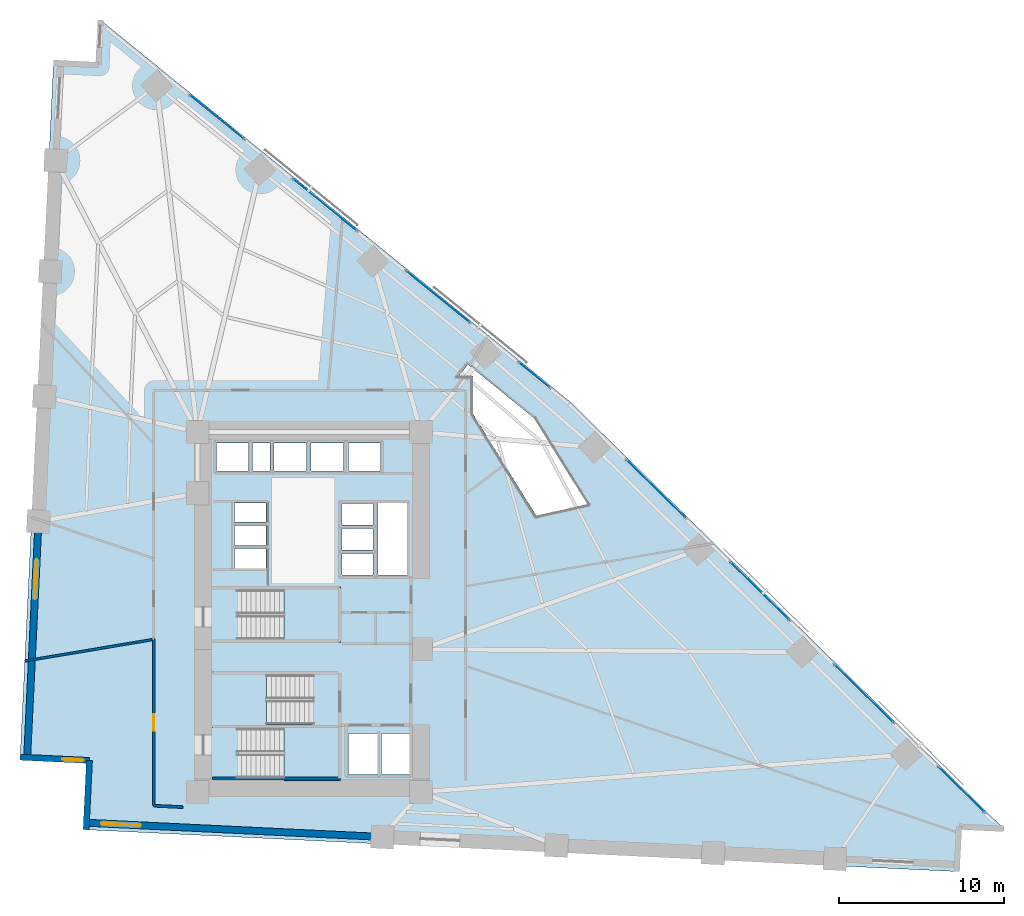
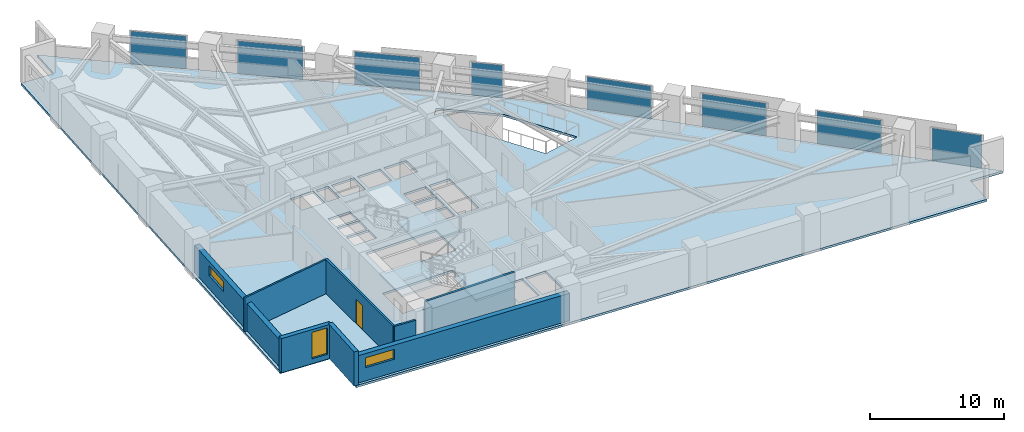
# One storey, part 12 of 17: 8 plates, 8 walls, 4 slabs, 3 windows, 1 door, 4 openings, 11 elements without a shape of their own.
"""IFC4 building model written with IfcOpenShell, lengths in metres."""

from ifc_helpers import new_model, si_unit, direction, frame, frame_2d, origin, origin_2d, place, context, subcontext, project, spatial, polyline, rectangle, outline, extrude, material, layer, layer_set, type_object, element, fill, aggregate, save


model = new_model("IFC4")

# Units and contexts
model_context = context("Model", 3, precision=1e-05, world=origin(), true_north=direction((0.0, 1.0)))
body_context = subcontext(model_context, "Body", "Model", "MODEL_VIEW")
ifc_project = project(units=[si_unit("LENGTHUNIT", "METRE"), si_unit("AREAUNIT", "SQUARE_METRE"), si_unit("VOLUMEUNIT", "CUBIC_METRE"), si_unit("PLANEANGLEUNIT", "RADIAN"), si_unit("MASSUNIT", "GRAM", prefix="KILO")], contexts=[model_context])

# Site, building, storey
site_placement = place(None, origin())
site = spatial("IfcSite", under=ifc_project, at=site_placement, CompositionType="ELEMENT")
building_placement = place(site_placement, origin())
building = spatial("IfcBuilding", under=site, at=building_placement, Name="Narakoshi Arena Tower", CompositionType="ELEMENT")
storey_placement = place(building_placement, frame((0.0, 0.0, 55.5)))
storey = spatial("IfcBuildingStorey", under=building, at=storey_placement, Name="L14", CompositionType="ELEMENT", Elevation=55.5)

# Curtain wall, plate
ifc_material_1 = material(Name="Anodised bronze aluminium 6063-T6", Category="aluminium")
curtain_wall_type = type_object("IfcCurtainWallType", Name="CW-HYP-LOW", PredefinedType="NOTDEFINED", material=ifc_material_1)
curtain_wall_1_placement = place(storey_placement, origin())
curtain_wall_1 = element("IfcCurtainWall", 1, at=curtain_wall_1_placement, inside=storey, type_object=curtain_wall_type, Name="L14 Folded Hypotenuse Curtain Wall 1-1", PredefinedType="NOTDEFINED")
ifc_material_2 = material(Name="Bronze-tinted low-E laminated glass", Category="glass")
ifc_layer_1 = layer(ifc_material_2, 0.031982421875)
ifc_layer_set_1 = layer_set([ifc_layer_1], Name="Bronze-tinted low-E laminated glass")
plate_type = type_object("IfcPlateType", Name="PLT-GLZ-32", PredefinedType="CURTAIN_PANEL", material=ifc_layer_set_1)
plate_1_placement = place(storey_placement, frame((118.277587890625, 34.8505859375, 0.06494140625), z_axis=(0.0, 0.0, 1.0), x_axis=(-0.712541277695, 0.701630192894, 0.0)))
plate_1 = element("IfcPlate", 2, at=plate_1_placement, type_object=plate_type, Name="CW-01 panel 1.1", PredefinedType="CURTAIN_PANEL", context=body_context, shape_type="SweptSolid", body=[
    extrude(rectangle(XDim=3.85498046875, YDim=0.031982421875, at=origin_2d()), origin(), (0.0, 0.0, 1.0), 2.969970703125),
])
aggregate(curtain_wall_1, [plate_1])

curtain_wall_2_placement = place(storey_placement, origin())
curtain_wall_2 = element("IfcCurtainWall", 3, at=curtain_wall_2_placement, inside=storey, type_object=curtain_wall_type, Name="L14 Folded Hypotenuse Curtain Wall 1-2", PredefinedType="NOTDEFINED")
plate_2_placement = place(storey_placement, frame((112.375, 40.66259765625, 0.06494140625), z_axis=(0.0, 0.0, 1.0), x_axis=(-0.712548329451, 0.701623031404, 0.0)))
plate_2 = element("IfcPlate", 4, at=plate_2_placement, type_object=plate_type, Name="CW-01 panel 1.1", PredefinedType="CURTAIN_PANEL", context=body_context, shape_type="SweptSolid", body=[
    extrude(rectangle(XDim=4.966552734375, YDim=0.031982421875, at=origin_2d()), origin(), (0.0, 0.0, 1.0), 2.969970703125),
])
aggregate(curtain_wall_2, [plate_2])

curtain_wall_3_placement = place(storey_placement, origin())
curtain_wall_3 = element("IfcCurtainWall", 5, at=curtain_wall_3_placement, inside=storey, type_object=curtain_wall_type, Name="L14 Folded Hypotenuse Curtain Wall 1-3", PredefinedType="NOTDEFINED")
plate_3_placement = place(storey_placement, frame((106.07666015625, 46.864501953125, 0.06494140625), z_axis=(0.0, 0.0, 1.0), x_axis=(-0.712538708053, 0.701632802488, 0.0)))
plate_3 = element("IfcPlate", 6, at=plate_3_placement, type_object=plate_type, Name="CW-01 panel 1.1", PredefinedType="CURTAIN_PANEL", context=body_context, shape_type="SweptSolid", body=[
    extrude(rectangle(XDim=4.966552734375, YDim=0.031982421875, at=origin_2d()), origin(), (0.0, 0.0, 1.0), 2.969970703125),
])
aggregate(curtain_wall_3, [plate_3])

curtain_wall_4_placement = place(storey_placement, origin())
curtain_wall_4 = element("IfcCurtainWall", 7, at=curtain_wall_4_placement, inside=storey, type_object=curtain_wall_type, Name="L14 Folded Hypotenuse Curtain Wall 1-4", PredefinedType="NOTDEFINED")
plate_4_placement = place(storey_placement, frame((99.7783203125, 53.06640625, 0.06494140625), z_axis=(0.0, 0.0, 1.0), x_axis=(-0.712538708053, 0.701632802488, 0.0)))
plate_4 = element("IfcPlate", 8, at=plate_4_placement, type_object=plate_type, Name="CW-01 panel 1.1", PredefinedType="CURTAIN_PANEL", context=body_context, shape_type="SweptSolid", body=[
    extrude(rectangle(XDim=4.966552734375, YDim=0.031982421875, at=origin_2d()), origin(), (0.0, 0.0, 1.0), 2.969970703125),
])
aggregate(curtain_wall_4, [plate_4])

curtain_wall_5_placement = place(storey_placement, origin())
curtain_wall_5 = element("IfcCurtainWall", 9, at=curtain_wall_5_placement, inside=storey, type_object=curtain_wall_type, Name="L14 Folded Hypotenuse Curtain Wall 2-1", PredefinedType="NOTDEFINED")
plate_5_placement = place(storey_placement, frame((92.40087890625, 59.964111328125, 0.06494140625), z_axis=(0.0, 0.0, 1.0), x_axis=(-0.776007918256, 0.63072316495, 0.0)))
plate_5 = element("IfcPlate", 10, at=plate_5_placement, type_object=plate_type, Name="CW-01 panel 1.1", PredefinedType="CURTAIN_PANEL", context=body_context, shape_type="SweptSolid", body=[
    extrude(rectangle(XDim=2.35888671875, YDim=0.031982421875, at=origin_2d()), origin(), (0.0, 0.0, 1.0), 2.969970703125),
])
aggregate(curtain_wall_5, [plate_5])

curtain_wall_6_placement = place(storey_placement, origin())
curtain_wall_6 = element("IfcCurtainWall", 11, at=curtain_wall_6_placement, inside=storey, type_object=curtain_wall_type, Name="L14 Folded Hypotenuse Curtain Wall 2-2", PredefinedType="NOTDEFINED")
plate_6_placement = place(storey_placement, frame((86.566650390625, 64.7060546875, 0.06494140625), z_axis=(0.0, 0.0, 1.0), x_axis=(-0.775998434519, 0.630734833051, 0.0)))
plate_6 = element("IfcPlate", 12, at=plate_6_placement, type_object=plate_type, Name="CW-01 panel 1.1", PredefinedType="CURTAIN_PANEL", context=body_context, shape_type="SweptSolid", body=[
    extrude(rectangle(XDim=4.932373046875, YDim=0.031982421875, at=origin_2d()), origin(), (0.0, 0.0, 1.0), 2.969970703125),
])
aggregate(curtain_wall_6, [plate_6])

curtain_wall_7_placement = place(storey_placement, origin())
curtain_wall_7 = element("IfcCurtainWall", 13, at=curtain_wall_7_placement, inside=storey, type_object=curtain_wall_type, Name="L14 Folded Hypotenuse Curtain Wall 2-3", PredefinedType="NOTDEFINED")
plate_7_placement = place(storey_placement, frame((79.73388671875, 70.259765625, 0.06494140625), z_axis=(0.0, 0.0, 1.0), x_axis=(-0.776008064665, 0.630722984816, 0.0)))
plate_7 = element("IfcPlate", 14, at=plate_7_placement, type_object=plate_type, Name="CW-01 panel 1.1", PredefinedType="CURTAIN_PANEL", context=body_context, shape_type="SweptSolid", body=[
    extrude(rectangle(XDim=4.932373046875, YDim=0.031982421875, at=origin_2d()), origin(), (0.0, 0.0, 1.0), 2.969970703125),
])
aggregate(curtain_wall_7, [plate_7])

curtain_wall_8_placement = place(storey_placement, origin())
curtain_wall_8 = element("IfcCurtainWall", 15, at=curtain_wall_8_placement, inside=storey, type_object=curtain_wall_type, Name="L14 Folded Hypotenuse Curtain Wall 2-4", PredefinedType="NOTDEFINED")
plate_8_placement = place(storey_placement, frame((73.18603515625, 75.58203125, 0.06494140625), z_axis=(0.0, 0.0, 1.0), x_axis=(-0.775999332044, 0.630733728817, 0.0)))
plate_8 = element("IfcPlate", 16, at=plate_8_placement, type_object=plate_type, Name="CW-01 panel 1.1", PredefinedType="CURTAIN_PANEL", context=body_context, shape_type="SweptSolid", body=[
    extrude(rectangle(XDim=4.198486328125, YDim=0.031982421875, at=origin_2d()), origin(), (0.0, 0.0, 1.0), 2.969970703125),
])
aggregate(curtain_wall_8, [plate_8])

# Stair, slab
ifc_material_3 = material(Name="Concrete C45/55", Category="concrete")
stair_type = type_object("IfcStairType", Name="STR-CORE-360", PredefinedType="TWO_STRAIGHT_RUN_STAIR", material=ifc_material_3)
stair_1_placement = place(storey_placement, origin())
stair_1 = element("IfcStair", 17, at=stair_1_placement, inside=storey, type_object=stair_type, Name="L14 Core Escape Stair ST1", PredefinedType="TWO_STRAIGHT_RUN_STAIR")
ifc_layer_2 = layer(ifc_material_3, 0.18994140625)
ifc_layer_set_2 = layer_set([ifc_layer_2], Name="Concrete C45/55")
slab_type_1 = type_object("IfcSlabType", Name="SLB-LND-190", PredefinedType="LANDING", material=ifc_layer_set_2)
slab_1_placement = place(storey_placement, frame((0.0, 0.0, 1.610107421875)))
slab_1 = element("IfcSlab", 18, at=slab_1_placement, type_object=slab_type_1, Name="ST1 landing 1", PredefinedType="LANDING", context=body_context, shape_type="SweptSolid", body=[
    extrude(outline(polyline([(77.25, 35.3701171875), (80.679931640625, 35.3701171875), (80.679931640625, 38.72998046875), (77.25, 38.72998046875), (77.25, 35.3701171875)])), origin(), (0.0, 0.0, 1.0), 0.18994140625),
])
aggregate(stair_1, [slab_1])

stair_2_placement = place(storey_placement, origin())
stair_2 = element("IfcStair", 19, at=stair_2_placement, inside=storey, type_object=stair_type, Name="L14 Core Escape Stair ST2", PredefinedType="TWO_STRAIGHT_RUN_STAIR")
slab_2_placement = place(storey_placement, frame((0.0, 0.0, 1.610107421875)))
slab_2 = element("IfcSlab", 20, at=slab_2_placement, type_object=slab_type_1, Name="ST2 landing 1", PredefinedType="LANDING", context=body_context, shape_type="SweptSolid", body=[
    extrude(outline(polyline([(72.77001953125, 38.6201171875), (76.199951171875, 38.6201171875), (76.199951171875, 41.97998046875), (72.77001953125, 41.97998046875), (72.77001953125, 38.6201171875)])), origin(), (0.0, 0.0, 1.0), 0.18994140625),
])
aggregate(stair_2, [slab_2])

stair_3_placement = place(storey_placement, origin())
stair_3 = element("IfcStair", 21, at=stair_3_placement, inside=storey, type_object=stair_type, Name="L14 Core Escape Stair ST3", PredefinedType="TWO_STRAIGHT_RUN_STAIR")
slab_3_placement = place(storey_placement, frame((0.0, 0.0, 1.610107421875)))
slab_3 = element("IfcSlab", 22, at=slab_3_placement, type_object=slab_type_1, Name="ST3 landing 1", PredefinedType="LANDING", context=body_context, shape_type="SweptSolid", body=[
    extrude(outline(polyline([(77.25, 43.77001953125), (80.679931640625, 43.77001953125), (80.679931640625, 47.1298828125), (77.25, 47.1298828125), (77.25, 43.77001953125)])), origin(), (0.0, 0.0, 1.0), 0.18994140625),
])
aggregate(stair_3, [slab_3])

# Slab
ifc_layer_3 = layer(ifc_material_3, 0.199951171875)
ifc_layer_set_3 = layer_set([ifc_layer_3], Name="Concrete C45/55")
slab_type_2 = type_object("IfcSlabType", Name="SLB-TWR-200", PredefinedType="FLOOR", material=ifc_layer_set_3)
slab_4_placement = place(storey_placement, frame((0.0, 0.0, -0.199951171875)))
element("IfcSlab", 23, at=slab_4_placement, inside=storey, type_object=slab_type_2, Name="L14 Structural Floor Slab", PredefinedType="FLOOR", context=body_context, shape_type="SweptSolid", body=[
    extrude(outline(polyline([(65.26025390625, 32.416015625), (117.99951171875, 29.8828125), (118.130615234375, 32.609619140625), (120.857421875, 32.478515625), (94.614013671875, 58.31982421875), (66.144287109375, 81.4599609375), (66.013427734375, 78.733154296875), (63.28662109375, 78.8642578125), (61.2666015625, 36.8125), (65.4619140625, 36.611083984375), (65.26025390625, 32.416015625)]), holes=[polyline([(74.47998046875, 35.550048828125), (74.47998046875, 38.550048828125), (80.5, 38.550048828125), (80.5, 35.550048828125), (74.47998046875, 35.550048828125)]), polyline([(81.14990234375, 35.75), (81.14990234375, 38.25), (82.89990234375, 38.25), (82.89990234375, 35.75), (81.14990234375, 35.75)]), polyline([(83.14990234375, 35.75), (83.14990234375, 38.25), (84.89990234375, 38.25), (84.89990234375, 35.75), (83.14990234375, 35.75)]), polyline([(72.949951171875, 38.800048828125), (72.949951171875, 41.800048828125), (78.969970703125, 41.800048828125), (78.969970703125, 38.800048828125), (72.949951171875, 38.800048828125)]), polyline([(74.47998046875, 43.949951171875), (74.47998046875, 46.949951171875), (80.5, 46.949951171875), (80.5, 43.949951171875), (74.47998046875, 43.949951171875)]), polyline([(82.949951171875, 47.840087890625), (82.949951171875, 52.199951171875), (84.699951171875, 52.199951171875), (84.699951171875, 47.840087890625), (82.949951171875, 47.840087890625)]), polyline([(80.75, 47.85009765625), (80.75, 49.14990234375), (82.64990234375, 49.14990234375), (82.64990234375, 47.85009765625), (80.75, 47.85009765625)]), polyline([(74.25, 48.25), (74.25, 49.449951171875), (76.14990234375, 49.449951171875), (76.14990234375, 48.25), (74.25, 48.25)]), polyline([(80.75, 49.3701171875), (80.75, 50.669921875), (82.64990234375, 50.669921875), (82.64990234375, 49.3701171875), (80.75, 49.3701171875)]), polyline([(74.25, 49.64990234375), (74.25, 50.85009765625), (76.14990234375, 50.85009765625), (76.14990234375, 49.64990234375), (74.25, 49.64990234375)]), polyline([(80.75, 50.889892578125), (80.75, 52.18994140625), (82.64990234375, 52.18994140625), (82.64990234375, 50.889892578125), (80.75, 50.889892578125)]), polyline([(74.25, 51.050048828125), (74.25, 52.2099609375), (76.14990234375, 52.2099609375), (76.14990234375, 51.050048828125), (74.25, 51.050048828125)]), polyline([(95.6357421875, 52.126708984375), (92.53662109375, 51.4306640625), (88.699951171875, 57.60693359375), (88.699951171875, 59.89990234375), (87.83251953125, 59.89990234375), (88.399169921875, 60.600830078125), (92.3837890625, 57.3623046875), (95.6357421875, 52.126708984375)]), polyline([(73.14990234375, 54.14990234375), (73.14990234375, 55.85009765625), (75.10009765625, 55.85009765625), (75.10009765625, 54.14990234375), (73.14990234375, 54.14990234375)]), polyline([(75.35009765625, 55.85009765625), (76.39990234375, 55.85009765625), (76.39990234375, 54.14990234375), (75.35009765625, 54.14990234375), (75.35009765625, 55.85009765625)]), polyline([(76.64990234375, 55.85009765625), (78.60009765625, 55.85009765625), (78.60009765625, 54.14990234375), (76.64990234375, 54.14990234375), (76.64990234375, 55.85009765625)]), polyline([(78.89990234375, 54.14990234375), (78.89990234375, 55.85009765625), (80.85009765625, 55.85009765625), (80.85009765625, 54.14990234375), (78.89990234375, 54.14990234375)]), polyline([(81.14990234375, 55.85009765625), (83.10009765625, 55.85009765625), (83.10009765625, 54.14990234375), (81.14990234375, 54.14990234375), (81.14990234375, 55.85009765625)])]), origin(), (0.0, 0.0, 1.0), 0.199951171875),
])

# Wall, opening, door
ifc_material_4 = material(Name="Gypsum plasterboard fire-rated partition")
ifc_layer_4 = layer(ifc_material_4, 0.1650390625)
ifc_layer_set_4 = layer_set([ifc_layer_4], Name="Gypsum plasterboard fire-rated partition")
wall_type_1 = type_object("IfcWallType", Name="WL-CORR-165", PredefinedType="PARTITIONING", material=ifc_layer_set_4)
wall_1_placement = place(storey_placement, frame((69.357421875, 43.982421875, 0.0), z_axis=(0.0, 0.0, 1.0), x_axis=(0.0, -1.0, 0.0)))
wall_1 = element("IfcWall", 24, at=wall_1_placement, inside=storey, type_object=wall_type_1, Name="L14 Corridor Partition 01-1", PredefinedType="PARTITIONING", context=body_context, shape_type="SweptSolid", body=[
    extrude(rectangle(XDim=10.111328125, YDim=0.1650390625, at=frame_2d((5.0556640625, 0.0))), origin(), (0.0, 0.0, 1.0), 3.10009765625),
])
opening_1_placement = place(wall_1_placement, frame((4.5556640625, 0.0, 0.0)))
opening_1 = element("IfcOpeningElement", 25, at=opening_1_placement, cuts=wall_1, Name="Opening D-06", PredefinedType="OPENING", context=body_context, shape_type="SweptSolid", body=[
    extrude(rectangle(XDim=1.0, YDim=2.199951171875, at=frame_2d((0.5, 1.10009765625))), frame((0.0, 0.092529296875, 0.0), z_axis=(0.0, -1.0, 0.0), x_axis=(1.0, 0.0, 0.0)), (0.0, 0.0, 1.0), 0.18505859375),
])
ifc_material_5 = material(Name="Stained oak solid-core timber", Category="wood")
door_type = type_object("IfcDoorType", Name="DR-OFF-1000", OperationType="NOTDEFINED", PredefinedType="DOOR", material=ifc_material_5)
door_placement = place(opening_1_placement, frame((1.0, 0.0, 0.0), z_axis=(0.0, 0.0, 1.0), x_axis=(-1.0, 0.0, 0.0)))
door = element("IfcDoor", 26, at=door_placement, inside=storey, type_object=door_type, Name="DR-L14-014", OperationType="SINGLE_SWING_RIGHT", OverallHeight=2.199951171875, OverallWidth=1.0, PredefinedType="DOOR", context=body_context, shape_type="SweptSolid", body=[
    extrude(rectangle(XDim=1.0, YDim=2.199951171875, at=frame_2d((0.5, 1.10009765625))), frame((0.0, 0.02490234375, 0.0), z_axis=(0.0, -1.0, 0.0), x_axis=(1.0, 0.0, 0.0)), (0.0, 0.0, 1.0), 0.050048828125),
])
fill(opening_1, door)

# Wall
wall_2_placement = place(storey_placement, frame((69.357421875, 33.87109375, 0.0), z_axis=(0.0, 0.0, 1.0), x_axis=(0.998844652559, -0.048055801453, 0.0)))
element("IfcWall", 27, at=wall_2_placement, inside=storey, type_object=wall_type_1, Name="L14 Corridor Partition 01-2", PredefinedType="PARTITIONING", context=body_context, shape_type="SweptSolid", body=[
    extrude(rectangle(XDim=1.77294921875, YDim=0.1650390625, at=frame_2d((0.886474609375, 0.0))), origin(), (0.0, 0.0, 1.0), 3.10009765625),
])

# Wall, opening, window
ifc_material_6 = material(Name="Precast concrete C45/55", Category="concrete")
ifc_layer_5 = layer(ifc_material_6, 0.419921875)
ifc_layer_set_5 = layer_set([ifc_layer_5], Name="Precast concrete C45/55")
wall_type_2 = type_object("IfcWallType", Name="WL-POD-420", PredefinedType="SOLIDWALL", material=ifc_layer_set_5)
wall_3_placement = place(storey_placement, frame((65.28076171875, 32.840576171875, 0.0), z_axis=(0.0, 0.0, 1.0), x_axis=(0.998848298084, -0.047979968897, 0.0)))
wall_3 = element("IfcWall", 28, at=wall_3_placement, inside=storey, type_object=wall_type_2, Name="L14 Architectural Concrete Facade Wall LEGA-1", PredefinedType="SOLIDWALL", context=body_context, shape_type="SweptSolid", body=[
    extrude(rectangle(XDim=17.951904296875, YDim=0.419921875, at=frame_2d((8.97607421875, 0.0))), origin(), (0.0, 0.0, 1.0), 2.485107421875),
])
opening_2_placement = place(wall_3_placement, frame((0.89990234375, 0.0, 1.199951171875)))
opening_2 = element("IfcOpeningElement", 29, at=opening_2_placement, cuts=wall_3, Name="Opening WN-01", PredefinedType="OPENING", context=body_context, shape_type="SweptSolid", body=[
    extrude(rectangle(XDim=2.39990234375, YDim=0.89990234375, at=frame_2d((1.199951171875, 0.449951171875))), frame((0.0, 0.219970703125, 0.0), z_axis=(0.0, -1.0, 0.0), x_axis=(1.0, 0.0, 0.0)), (0.0, 0.0, 1.0), 0.43994140625),
])
window_type_1 = type_object("IfcWindowType", Name="WIN-SLT-24x09", PartitioningType="SINGLE_PANEL", PredefinedType="WINDOW", material=ifc_material_2)
window_1_placement = place(opening_2_placement, origin())
window_1 = element("IfcWindow", 30, at=window_1_placement, inside=storey, type_object=window_type_1, Name="L14 LEGA1 Horizontal Slot Window 1", OverallHeight=0.89990234375, OverallWidth=2.39990234375, PartitioningType="SINGLE_PANEL", PredefinedType="WINDOW", context=body_context, shape_type="SweptSolid", body=[
    extrude(rectangle(XDim=2.39990234375, YDim=0.89990234375, at=frame_2d((1.199951171875, 0.449951171875))), frame((0.0, 0.030029296875, 0.0), z_axis=(0.0, -1.0, 0.0), x_axis=(1.0, 0.0, 0.0)), (0.0, 0.0, 1.0), 0.06005859375),
])
fill(opening_2, window_1)

wall_4_placement = place(storey_placement, frame((62.3779296875, 51.08984375, 0.0), z_axis=(0.0, 0.0, 1.0), x_axis=(-0.047978424452, -0.99884837227, 0.0)))
wall_4 = element("IfcWall", 31, at=wall_4_placement, inside=storey, type_object=wall_type_2, Name="L14 Architectural Concrete Facade Wall LEGB-3", PredefinedType="SOLIDWALL", context=body_context, shape_type="SweptSolid", body=[
    extrude(rectangle(XDim=14.314208984375, YDim=0.419921875, at=frame_2d((7.1572265625, 0.0))), origin(), (0.0, 0.0, 1.0), 2.485107421875),
])
opening_3_placement = place(wall_4_placement, frame((2.300048828125, 0.0, 1.199951171875)))
opening_3 = element("IfcOpeningElement", 32, at=opening_3_placement, cuts=wall_4, Name="Opening WN-01", PredefinedType="OPENING", context=body_context, shape_type="SweptSolid", body=[
    extrude(rectangle(XDim=2.39990234375, YDim=0.89990234375, at=frame_2d((1.199951171875, 0.449951171875))), frame((0.0, 0.219970703125, 0.0), z_axis=(0.0, -1.0, 0.0), x_axis=(1.0, 0.0, 0.0)), (0.0, 0.0, 1.0), 0.43994140625),
])
window_2_placement = place(opening_3_placement, origin())
window_2 = element("IfcWindow", 33, at=window_2_placement, inside=storey, type_object=window_type_1, Name="L14 LEGB3 Horizontal Slot Window 1", OverallHeight=0.89990234375, OverallWidth=2.39990234375, PartitioningType="SINGLE_PANEL", PredefinedType="WINDOW", context=body_context, shape_type="SweptSolid", body=[
    extrude(rectangle(XDim=2.39990234375, YDim=0.89990234375, at=frame_2d((1.199951171875, 0.449951171875))), frame((0.0, 0.030029296875, 0.0), z_axis=(0.0, -1.0, 0.0), x_axis=(1.0, 0.0, 0.0)), (0.0, 0.0, 1.0), 0.06005859375),
])
fill(opening_3, window_2)

wall_5_placement = place(storey_placement, frame((61.2666015625, 36.8125, 0.0), z_axis=(0.0, 0.0, 1.0), x_axis=(0.998849519138, -0.047954542207, 0.0)))
wall_5 = element("IfcWall", 34, at=wall_5_placement, inside=storey, type_object=wall_type_2, Name="L14 Re-Entrant Corner Notch Wall NTA-1", PredefinedType="SOLIDWALL", context=body_context, shape_type="SweptSolid", body=[
    extrude(rectangle(XDim=4.2001953125, YDim=0.360107421875, at=frame_2d((2.10009765625, 0.0))), origin(), (0.0, 0.0, 1.0), 3.10009765625),
])
opening_4_placement = place(wall_5_placement, frame((2.559814453125, 0.0, 0.449951171875)))
opening_4 = element("IfcOpeningElement", 35, at=opening_4_placement, cuts=wall_5, Name="Opening WN-06", PredefinedType="OPENING", context=body_context, shape_type="SweptSolid", body=[
    extrude(rectangle(XDim=1.300048828125, YDim=2.39990234375, at=frame_2d((0.64990234375, 1.199951171875))), frame((0.0, 0.18994140625, 0.0), z_axis=(0.0, -1.0, 0.0), x_axis=(1.0, 0.0, 0.0)), (0.0, 0.0, 1.0), 0.380126953125),
])
window_type_2 = type_object("IfcWindowType", Name="WIN-NTC-16x24", PartitioningType="SINGLE_PANEL", PredefinedType="WINDOW", material=ifc_material_2)
window_3_placement = place(opening_4_placement, origin())
window_3 = element("IfcWindow", 36, at=window_3_placement, inside=storey, type_object=window_type_2, Name="L14 Corner Notch Window NTA", OverallHeight=2.39990234375, OverallWidth=1.300048828125, PartitioningType="SINGLE_PANEL", PredefinedType="WINDOW", context=body_context, shape_type="SweptSolid", body=[
    extrude(rectangle(XDim=1.300048828125, YDim=2.39990234375, at=frame_2d((0.64990234375, 1.199951171875))), frame((0.0, 0.030029296875, 0.0), z_axis=(0.0, -1.0, 0.0), x_axis=(1.0, 0.0, 0.0)), (0.0, 0.0, 1.0), 0.06005859375),
])
fill(opening_4, window_3)

# Walls
wall_6_placement = place(storey_placement, frame((65.4619140625, 36.611083984375, 0.0), z_axis=(0.0, 0.0, 1.0), x_axis=(-0.048015322758, -0.998846599224, 0.0)))
element("IfcWall", 37, at=wall_6_placement, inside=storey, type_object=wall_type_2, Name="L14 Re-Entrant Corner Notch Wall NTA-2", PredefinedType="SOLIDWALL", context=body_context, shape_type="SweptSolid", body=[
    extrude(rectangle(XDim=4.199951171875, YDim=0.360107421875, at=frame_2d((2.10009765625, 0.0))), origin(), (0.0, 0.0, 1.0), 3.10009765625),
])
ifc_material_7 = material(Name="Concrete C50/60", Category="concrete")
ifc_layer_6 = layer(ifc_material_7, 0.35009765625)
ifc_layer_set_6 = layer_set([ifc_layer_6], Name="Concrete C50/60")
wall_type_3 = type_object("IfcWallType", Name="WL-SHAFT-350", PredefinedType="SOLIDWALL", material=ifc_layer_set_6)
wall_7_placement = place(storey_placement, frame((72.919921875, 35.52001953125, -0.199951171875), z_axis=(0.0, 0.0, 1.0), x_axis=(1.0, 0.0, 0.0)))
element("IfcWall", 38, at=wall_7_placement, inside=storey, type_object=wall_type_3, Name="L14 Core Wall ST1-S", PredefinedType="SOLIDWALL", context=body_context, shape_type="SweptSolid", body=[
    extrude(rectangle(XDim=7.7001953125, YDim=0.199951171875, at=frame_2d((3.85009765625, 0.0))), origin(), (0.0, 0.0, 1.0), 3.300048828125),
])
ifc_material_8 = material(Name="Moisture-resistant cement-board partition")
ifc_layer_7 = layer(ifc_material_8, 0.14501953125)
ifc_layer_set_7 = layer_set([ifc_layer_7], Name="Moisture-resistant cement-board partition")
wall_type_4 = type_object("IfcWallType", Name="WL-WET-145", PredefinedType="PARTITIONING", material=ifc_layer_set_7)
wall_8_placement = place(storey_placement, frame((61.54638671875, 42.636474609375, 0.0), z_axis=(0.0, 0.0, 1.0), x_axis=(0.986240855765, 0.165314773748, 0.0)))
element("IfcWall", 39, at=wall_8_placement, inside=storey, type_object=wall_type_4, Name="L14 Inter-Room Partition 01-09", PredefinedType="PARTITIONING", context=body_context, shape_type="SweptSolid", body=[
    extrude(rectangle(XDim=7.82421875, YDim=0.14501953125, at=frame_2d((3.912109375, 0.0))), origin(), (0.0, 0.0, 1.0), 3.10009765625),
])

save(model, "model.ifc")
